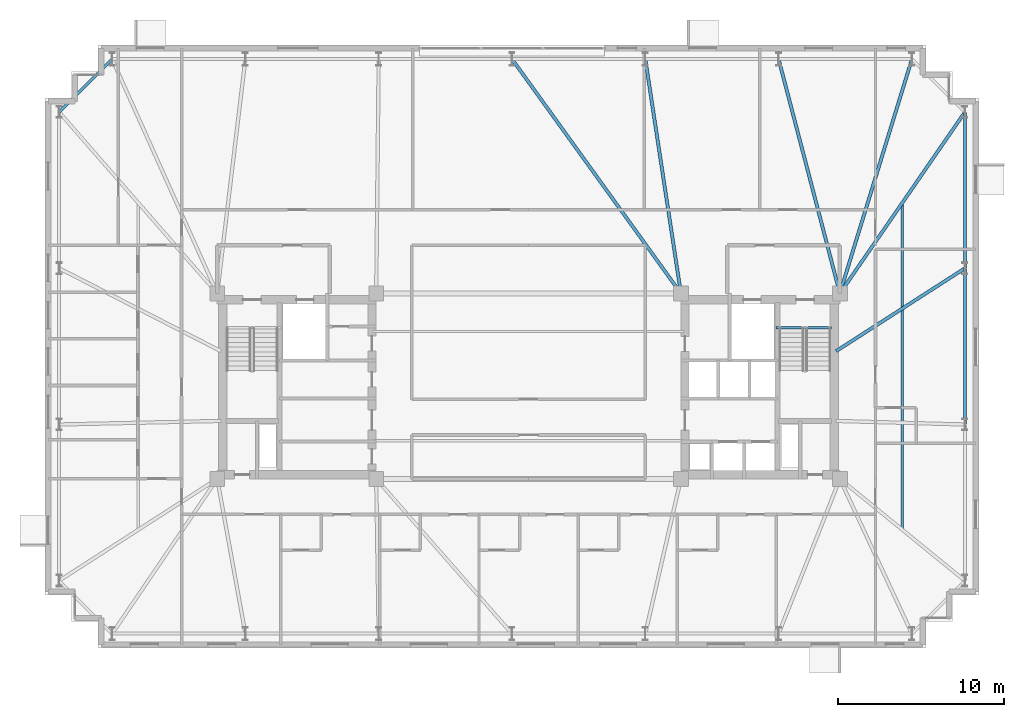
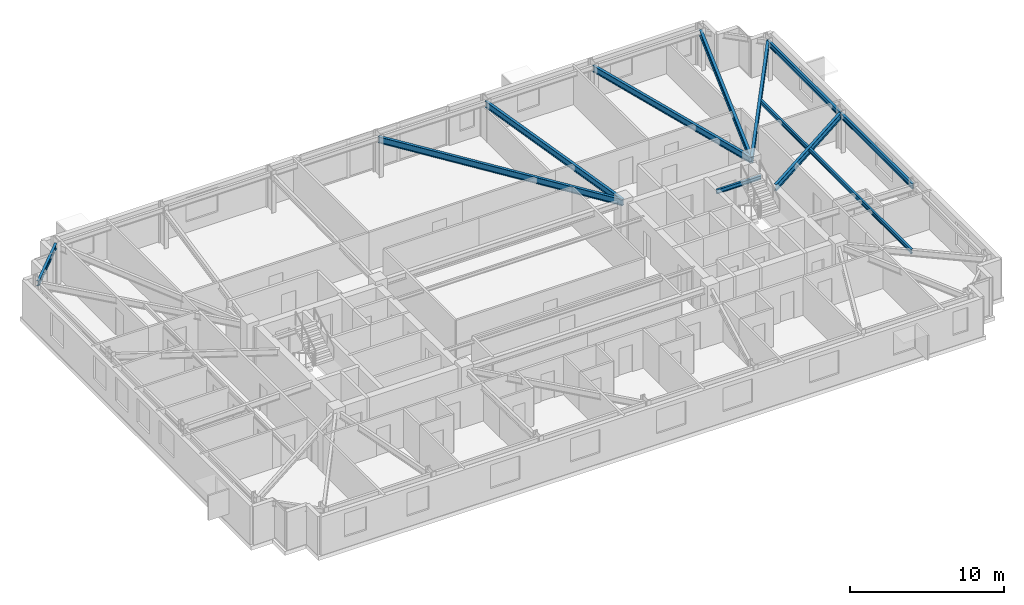
# One storey, part 6 of 18: 11 beams.
"""IFC4 building model written with IfcOpenShell, lengths in metres."""

from ifc_helpers import new_model, si_unit, direction, frame, origin, origin_2d, place, context, subcontext, project, spatial, i_section, extrude, material, material_profile, profile_set, type_object, element, save


model = new_model("IFC4")

# Units and contexts
model_context = context("Model", 3, precision=1e-05, world=origin(), true_north=direction((0.0, 1.0)))
body_context = subcontext(model_context, "Body", "Model", "MODEL_VIEW")
ifc_project = project(units=[si_unit("LENGTHUNIT", "METRE"), si_unit("AREAUNIT", "SQUARE_METRE"), si_unit("VOLUMEUNIT", "CUBIC_METRE"), si_unit("PLANEANGLEUNIT", "RADIAN"), si_unit("MASSUNIT", "GRAM", prefix="KILO")], contexts=[model_context])

# Site, building, storey
site_placement = place(None, origin())
site = spatial("IfcSite", under=ifc_project, at=site_placement, CompositionType="ELEMENT")
building_placement = place(site_placement, origin())
building = spatial("IfcBuilding", under=site, at=building_placement, Name="Qobustan Lattice House", CompositionType="ELEMENT")
storey_placement = place(building_placement, frame((0.0, 0.0, 147.75)))
storey = spatial("IfcBuildingStorey", under=building, at=storey_placement, Name="L41", CompositionType="ELEMENT", Elevation=147.75)

# Beams
ifc_material_1 = material(Name="Steel S355", Category="steel")
ifc_material_profile_1 = material_profile(ifc_material_1, i_section(OverallWidth=0.199951171875, OverallDepth=0.5, WebThickness=0.01025390625, FlangeThickness=0.01611328125, FilletRadius=0.02099609375, at=origin_2d()), Name="IPE500")
ifc_profile_set_1 = profile_set([ifc_material_profile_1], Name="Steel S355")
beam_type_1 = type_object("IfcBeamType", Name="BM-FLG-IPE500", PredefinedType="USERDEFINED", material=ifc_profile_set_1)
beam_1_placement = place(storey_placement, frame((-0.9853515625, 19.729736328125, 2.7900390625), z_axis=(0.584755393146, -0.811209670916, 0.0), x_axis=(0.811209670916, 0.584755393146, 0.0)))
element("IfcBeam", 1, at=beam_1_placement, inside=storey, type_object=beam_type_1, Name="L41 primary floor girder RAD-N4", ObjectType="GIRDER", PredefinedType="USERDEFINED", context=body_context, shape_type="SweptSolid", body=[
    extrude(i_section(OverallWidth=0.199951171875, OverallDepth=0.5, WebThickness=0.01025390625, FlangeThickness=0.01611328125, FilletRadius=0.02099609375, at=origin_2d()), origin(), (0.0, 0.0, 1.0), 17.39306640625),
])
beam_2_placement = place(storey_placement, frame((7.0537109375, 19.725341796875, 2.7900390625), z_axis=(0.150225226731, -0.988651799803, 0.0), x_axis=(0.988651799803, 0.150225226731, 0.0)))
element("IfcBeam", 2, at=beam_2_placement, inside=storey, type_object=beam_type_1, Name="L41 primary floor girder RAD-N3", ObjectType="GIRDER", PredefinedType="USERDEFINED", context=body_context, shape_type="SweptSolid", body=[
    extrude(i_section(OverallWidth=0.199951171875, OverallDepth=0.5, WebThickness=0.01025390625, FlangeThickness=0.01611328125, FilletRadius=0.02099609375, at=origin_2d()), origin(), (0.0, 0.0, 1.0), 14.262451171875),
])
beam_3_placement = place(storey_placement, frame((15.106201171875, 19.725830078125, 2.7900390625), z_axis=(0.252989153576, -0.967469114842, 0.0), x_axis=(0.967469114842, 0.252989153576, 0.0)))
element("IfcBeam", 3, at=beam_3_placement, inside=storey, type_object=beam_type_1, Name="L41 primary floor girder RAD-N2", ObjectType="GIRDER", PredefinedType="USERDEFINED", context=body_context, shape_type="SweptSolid", body=[
    extrude(i_section(OverallWidth=0.199951171875, OverallDepth=0.5, WebThickness=0.01025390625, FlangeThickness=0.01611328125, FilletRadius=0.02099609375, at=origin_2d()), origin(), (0.0, 0.0, 1.0), 14.57568359375),
])
beam_4_placement = place(storey_placement, frame((23.142578125, 19.72607421875, 2.7900390625), z_axis=(-0.293840483469, -0.955854471285, 0.0), x_axis=(0.955854471285, -0.293840483469, 0.0)))
element("IfcBeam", 4, at=beam_4_placement, inside=storey, type_object=beam_type_1, Name="L41 primary floor girder RAD-N1E", ObjectType="GIRDER", PredefinedType="USERDEFINED", context=body_context, shape_type="SweptSolid", body=[
    extrude(i_section(OverallWidth=0.199951171875, OverallDepth=0.5, WebThickness=0.01025390625, FlangeThickness=0.01611328125, FilletRadius=0.02099609375, at=origin_2d()), origin(), (0.0, 0.0, 1.0), 14.753662109375),
])
beam_5_placement = place(storey_placement, frame((26.335693359375, 16.529296875, 2.7900390625), z_axis=(-0.567643395011, -0.82327454479, 0.0), x_axis=(0.82327454479, -0.567643395011, 0.0)))
element("IfcBeam", 5, at=beam_5_placement, inside=storey, type_object=beam_type_1, Name="L41 primary floor girder RAD-E4", ObjectType="GIRDER", PredefinedType="USERDEFINED", context=body_context, shape_type="SweptSolid", body=[
    extrude(i_section(OverallWidth=0.199951171875, OverallDepth=0.5, WebThickness=0.01025390625, FlangeThickness=0.01611328125, FilletRadius=0.02099609375, at=origin_2d()), origin(), (0.0, 0.0, 1.0), 13.25048828125),
])
beam_6_placement = place(storey_placement, frame((26.3291015625, 7.103271484375, 2.7900390625), z_axis=(-0.841058920931, -0.540943519715, 0.0), x_axis=(0.540943519715, -0.841058920931, 0.0)))
element("IfcBeam", 6, at=beam_6_placement, inside=storey, type_object=beam_type_1, Name="L41 primary floor girder RAD-E3", ObjectType="GIRDER", PredefinedType="USERDEFINED", context=body_context, shape_type="SweptSolid", body=[
    extrude(i_section(OverallWidth=0.199951171875, OverallDepth=0.5, WebThickness=0.01025390625, FlangeThickness=0.01611328125, FilletRadius=0.02099609375, at=origin_2d()), origin(), (0.0, 0.0, 1.0), 9.22412109375),
])
ifc_material_2 = material(Name="Steel S355", Category="steel")
ifc_material_profile_2 = material_profile(ifc_material_2, i_section(OverallWidth=0.159912109375, OverallDepth=0.330078125, WebThickness=0.007568359375, FlangeThickness=0.011474609375, FilletRadius=0.01806640625, at=origin_2d()), Name="IPE330")
ifc_profile_set_2 = profile_set([ifc_material_profile_2], Name="Steel S355")
beam_type_2 = type_object("IfcBeamType", Name="BM-SEC-IPE330", PredefinedType="BEAM", material=ifc_profile_set_2)
beam_7_placement = place(storey_placement, frame((22.574951171875, 11.074951171875, 2.875), z_axis=(0.0, -1.0, 0.0), x_axis=(1.0, 0.0, 0.0)))
element("IfcBeam", 7, at=beam_7_placement, inside=storey, type_object=beam_type_2, Name="L41 east wing secondary beam", PredefinedType="BEAM", context=body_context, shape_type="SweptSolid", body=[
    extrude(i_section(OverallWidth=0.159912109375, OverallDepth=0.330078125, WebThickness=0.007568359375, FlangeThickness=0.011474609375, FilletRadius=0.01806640625, at=origin_2d()), origin(), (0.0, 0.0, 1.0), 19.75),
])
ifc_material_3 = material(Name="Steel S355", Category="steel")
ifc_material_profile_3 = material_profile(ifc_material_3, i_section(OverallWidth=0.159912109375, OverallDepth=0.330078125, WebThickness=0.007568359375, FlangeThickness=0.011474609375, FilletRadius=0.01806640625, at=origin_2d()), Name="IPE330")
ifc_profile_set_3 = profile_set([ifc_material_profile_3], Name="Steel S355")
beam_type_3 = type_object("IfcBeamType", Name="BM-SPD-IPE330", PredefinedType="SPANDREL", material=ifc_profile_set_3)
beam_8_placement = place(storey_placement, frame((14.949951171875, 3.52001953125, 2.875), z_axis=(1.0, 0.0, 0.0), x_axis=(0.0, 1.0, 0.0)))
element("IfcBeam", 8, at=beam_8_placement, inside=storey, type_object=beam_type_3, Name="L41 east stair landing trimmer beam", PredefinedType="SPANDREL", context=body_context, shape_type="SweptSolid", body=[
    extrude(i_section(OverallWidth=0.159912109375, OverallDepth=0.330078125, WebThickness=0.007568359375, FlangeThickness=0.011474609375, FilletRadius=0.01806640625, at=origin_2d()), origin(), (0.0, 0.0, 1.0), 3.35009765625),
])
ifc_material_4 = material(Name="Steel S355", Category="steel")
ifc_material_profile_4 = material_profile(ifc_material_4, i_section(OverallWidth=0.179931640625, OverallDepth=0.39990234375, WebThickness=0.008544921875, FlangeThickness=0.013427734375, FilletRadius=0.02099609375, at=origin_2d()), Name="IPE400")
ifc_profile_set_4 = profile_set([ifc_material_profile_4], Name="Steel S355")
beam_type_4 = type_object("IfcBeamType", Name="BM-SPD-IPE400", PredefinedType="SPANDREL", material=ifc_profile_set_4)
beam_9_placement = place(storey_placement, frame((26.35009765625, -2.291748046875, 2.840087890625), z_axis=(0.0, 1.0, 0.0), x_axis=(-1.0, 0.0, 0.0)))
element("IfcBeam", 9, at=beam_9_placement, inside=storey, type_object=beam_type_4, Name="L41 perimeter spandrel E2-E3", PredefinedType="SPANDREL", context=body_context, shape_type="SweptSolid", body=[
    extrude(i_section(OverallWidth=0.179931640625, OverallDepth=0.39990234375, WebThickness=0.008544921875, FlangeThickness=0.013427734375, FilletRadius=0.02099609375, at=origin_2d()), origin(), (0.0, 0.0, 1.0), 9.383544921875),
])
beam_10_placement = place(storey_placement, frame((26.35009765625, 7.1416015625, 2.840087890625), z_axis=(0.0, 1.0, 0.0), x_axis=(-1.0, 0.0, 0.0)))
element("IfcBeam", 10, at=beam_10_placement, inside=storey, type_object=beam_type_4, Name="L41 perimeter spandrel E3-E4", PredefinedType="SPANDREL", context=body_context, shape_type="SweptSolid", body=[
    extrude(i_section(OverallWidth=0.179931640625, OverallDepth=0.39990234375, WebThickness=0.008544921875, FlangeThickness=0.013427734375, FilletRadius=0.02099609375, at=origin_2d()), origin(), (0.0, 0.0, 1.0), 9.38330078125),
])
beam_11_placement = place(storey_placement, frame((-25.167724609375, 19.732421875, 2.840087890625), z_axis=(-0.707079505568, -0.707134055753, 0.0), x_axis=(0.707134055753, -0.707079505568, 0.0)))
element("IfcBeam", 11, at=beam_11_placement, inside=storey, type_object=beam_type_4, Name="L41 perimeter spandrel N7-W1", PredefinedType="SPANDREL", context=body_context, shape_type="SweptSolid", body=[
    extrude(i_section(OverallWidth=0.179931640625, OverallDepth=0.39990234375, WebThickness=0.008544921875, FlangeThickness=0.013427734375, FilletRadius=0.02099609375, at=origin_2d()), origin(), (0.0, 0.0, 1.0), 4.4755859375),
])

save(model, "model.ifc")
